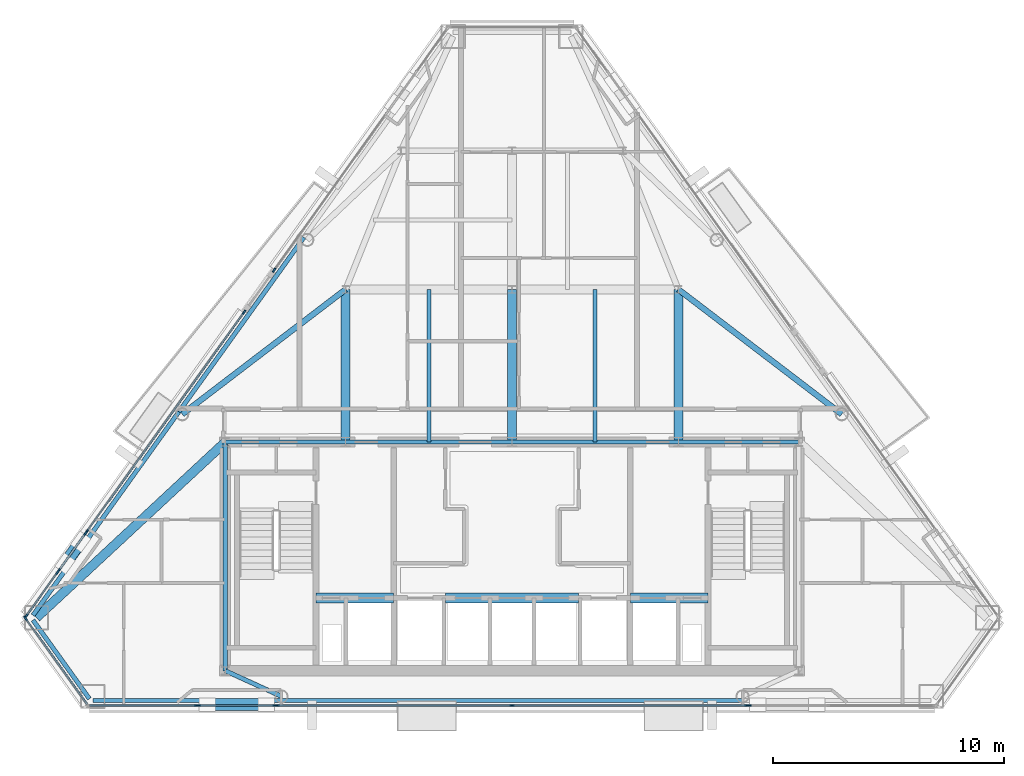
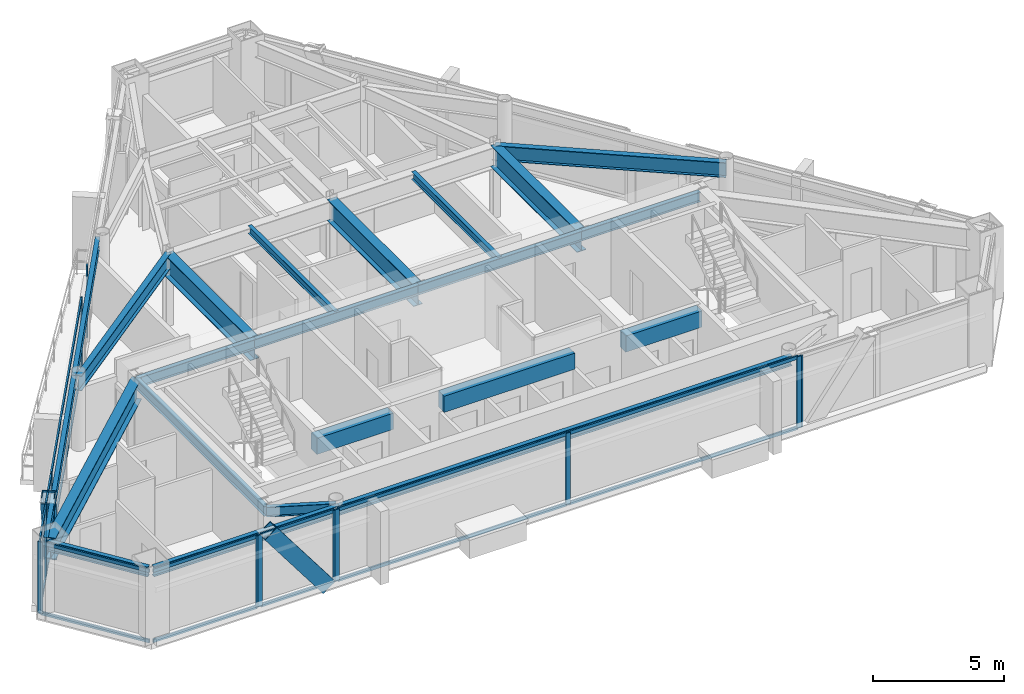
# One storey, part 3 of 11: 33 members, 22 beams, 9 elements without a shape of their own.
"""IFC4 building model written with IfcOpenShell, lengths in metres."""

from ifc_helpers import new_model, si_unit, direction, frame, origin, origin_2d, place, context, subcontext, project, spatial, rectangle, hollow_rectangle, i_section, extrude, material, layer, layer_set, material_profile, profile_set, type_object, element, aggregate, save


model = new_model("IFC4")

# Units and contexts
model_context = context("Model", 3, precision=1e-05, world=origin(), true_north=direction((0.0, 1.0)))
body_context = subcontext(model_context, "Body", "Model", "MODEL_VIEW")
ifc_project = project(units=[si_unit("LENGTHUNIT", "METRE"), si_unit("AREAUNIT", "SQUARE_METRE"), si_unit("VOLUMEUNIT", "CUBIC_METRE"), si_unit("PLANEANGLEUNIT", "RADIAN"), si_unit("MASSUNIT", "GRAM", prefix="KILO")], contexts=[model_context])

# Site, building, storey
site_placement = place(None, origin())
site = spatial("IfcSite", under=ifc_project, at=site_placement, CompositionType="ELEMENT")
building_placement = place(site_placement, origin())
building = spatial("IfcBuilding", under=site, at=building_placement, Name="Talgorran Terracotta Tower", CompositionType="ELEMENT")
storey_placement = place(building_placement, frame((0.0, 0.0, 237.0)))
storey = spatial("IfcBuildingStorey", under=building, at=storey_placement, Name="L62", CompositionType="ELEMENT", Elevation=237.0)

# Beams
ifc_material_1 = material(Name="Steel Grade 350 (350L0)", Category="steel")
ifc_material_profile_1 = material_profile(ifc_material_1, i_section(OverallWidth=0.39990234375, OverallDepth=1.0, WebThickness=0.01611328125, FlangeThickness=0.031005859375, at=origin_2d()), Name="1000WB296")
ifc_profile_set_1 = profile_set([ifc_material_profile_1], Name="Steel Grade 350 (350L0)")
beam_type_1 = type_object("IfcBeamType", Name="BM_1000WB296", PredefinedType="BEAM", material=ifc_profile_set_1)
for number, where, z_axis, x_axis, name in (
    (1, (-7.199951171875, -4.199951171875, 2.844970703125), (0.0, 1.0, 0.0), (-1.0, 0.0, 0.0), "L62 Floor Girder G01"),
    (2, (0.0, -4.199951171875, 2.844970703125), (0.0, 1.0, 0.0), (-1.0, 0.0, 0.0), "L62 Floor Girder G02"),
    (3, (7.199951171875, -4.199951171875, 2.844970703125), (0.0, 1.0, 0.0), (-1.0, 0.0, 0.0), "L62 Floor Girder G03"),
):
    element("IfcBeam", number, at=place(storey_placement, frame(where, z_axis=z_axis, x_axis=x_axis)), inside=storey, type_object=beam_type_1, Name=name, PredefinedType="BEAM", context=body_context, shape_type="SweptSolid", body=[
        extrude(i_section(OverallWidth=0.39990234375, OverallDepth=1.0, WebThickness=0.01611328125, FlangeThickness=0.031005859375, at=origin_2d()), origin(), (0.0, 0.0, 1.0), 6.599853515625),
    ])
beam_1_placement = place(storey_placement, frame((-12.39990234375, -4.199951171875, 2.844970703125), z_axis=(-0.732477257619, -0.68079150044, 0.0), x_axis=(0.68079150044, -0.732477257619, 0.0)))
element("IfcBeam", 4, at=beam_1_placement, inside=storey, type_object=beam_type_1, Name="L62 Floor Girder G17", PredefinedType="BEAM", context=body_context, shape_type="SweptSolid", body=[
    extrude(i_section(OverallWidth=0.39990234375, OverallDepth=1.0, WebThickness=0.01611328125, FlangeThickness=0.031005859375, at=origin_2d()), origin(), (0.0, 0.0, 1.0), 11.16650390625),
])
ifc_material_2 = material(Name="Steel S355 (300PLUS)", Category="steel")
ifc_material_profile_2 = material_profile(ifc_material_2, i_section(OverallWidth=0.25, OverallDepth=0.699951171875, WebThickness=0.011962890625, FlangeThickness=0.02392578125, at=origin_2d()), Name="700WB150")
ifc_profile_set_2 = profile_set([ifc_material_profile_2], Name="Steel S355 (300PLUS)")
beam_type_2 = type_object("IfcBeamType", Name="BM_700WB150", PredefinedType="BEAM", material=ifc_profile_set_2)
for number, where, z_axis, x_axis, name in (
    (5, (-7.199951171875, 2.39990234375, 2.9951171875), (-0.794675605049, -0.60703433407, 0.0), (0.60703433407, -0.794675605049, 0.0), "L62 Floor Girder G06"),
    (6, (7.199951171875, 2.39990234375, 2.9951171875), (0.794675605049, -0.60703433407, 0.0), (0.60703433407, 0.794675605049, 0.0), "L62 Floor Girder G07"),
):
    element("IfcBeam", number, at=place(storey_placement, frame(where, z_axis=z_axis, x_axis=x_axis)), inside=storey, type_object=beam_type_2, Name=name, PredefinedType="BEAM", context=body_context, shape_type="SweptSolid", body=[
        extrude(i_section(OverallWidth=0.25, OverallDepth=0.699951171875, WebThickness=0.011962890625, FlangeThickness=0.02392578125, at=origin_2d()), origin(), (0.0, 0.0, 1.0), 8.894287109375),
    ])
ifc_material_3 = material(Name="Concrete C50/60", Category="concrete")
ifc_material_profile_3 = material_profile(ifc_material_3, rectangle(XDim=0.449951171875, YDim=0.75, at=origin_2d()), Name="RCCB450X750")
ifc_profile_set_3 = profile_set([ifc_material_profile_3], Name="Concrete C50/60")
beam_type_3 = type_object("IfcBeamType", Name="BM_CB_450X750", PredefinedType="LINTEL", material=ifc_profile_set_3)
beam_2_placement = place(storey_placement, frame((-8.47998046875, -10.949951171875, 2.969970703125), z_axis=(1.0, 0.0, 0.0), x_axis=(0.0, 1.0, 0.0)))
element("IfcBeam", 7, at=beam_2_placement, inside=storey, type_object=beam_type_3, Name="L62 Core Shear-Wall Coupling Beam CB1", PredefinedType="LINTEL", context=body_context, shape_type="SweptSolid", body=[
    extrude(rectangle(XDim=0.449951171875, YDim=0.75, at=origin_2d()), origin(), (0.0, 0.0, 1.0), 3.35986328125),
])
beam_3_placement = place(storey_placement, frame((-2.8798828125, -10.949951171875, 2.969970703125), z_axis=(1.0, 0.0, 0.0), x_axis=(0.0, 1.0, 0.0)))
element("IfcBeam", 8, at=beam_3_placement, inside=storey, type_object=beam_type_3, Name="L62 Core Shear-Wall Coupling Beam CB2", PredefinedType="LINTEL", context=body_context, shape_type="SweptSolid", body=[
    extrude(rectangle(XDim=0.449951171875, YDim=0.75, at=origin_2d()), origin(), (0.0, 0.0, 1.0), 5.759765625),
])
beam_4_placement = place(storey_placement, frame((5.1201171875, -10.949951171875, 2.969970703125), z_axis=(1.0, 0.0, 0.0), x_axis=(0.0, 1.0, 0.0)))
element("IfcBeam", 9, at=beam_4_placement, inside=storey, type_object=beam_type_3, Name="L62 Core Shear-Wall Coupling Beam CB3", PredefinedType="LINTEL", context=body_context, shape_type="SweptSolid", body=[
    extrude(rectangle(XDim=0.449951171875, YDim=0.75, at=origin_2d()), origin(), (0.0, 0.0, 1.0), 3.35986328125),
])
ifc_material_profile_4 = material_profile(ifc_material_2, i_section(OverallWidth=0.17138671875, OverallDepth=0.355712890625, WebThickness=0.00732421875, FlangeThickness=0.011474609375, at=origin_2d()), Name="360UB50.7")
ifc_profile_set_4 = profile_set([ifc_material_profile_4], Name="Steel S355 (300PLUS)")
beam_type_4 = type_object("IfcBeamType", Name="BM_JS_360UB51", PredefinedType="JOIST", material=ifc_profile_set_4)
for number, where, z_axis, x_axis, name in (
    (10, (-3.60009765625, -4.199951171875, 3.167236328125), (0.0, 1.0, 0.0), (-1.0, 0.0, 0.0), "L62 Secondary Joist J01"),
    (11, (3.60009765625, -4.199951171875, 3.167236328125), (0.0, 1.0, 0.0), (-1.0, 0.0, 0.0), "L62 Secondary Joist J02"),
):
    element("IfcBeam", number, at=place(storey_placement, frame(where, z_axis=z_axis, x_axis=x_axis)), inside=storey, type_object=beam_type_4, Name=name, PredefinedType="JOIST", context=body_context, shape_type="SweptSolid", body=[
        extrude(i_section(OverallWidth=0.17138671875, OverallDepth=0.355712890625, WebThickness=0.00732421875, FlangeThickness=0.011474609375, at=origin_2d()), origin(), (0.0, 0.0, 1.0), 6.599853515625),
    ])
ifc_material_profile_5 = material_profile(ifc_material_2, i_section(OverallWidth=0.18994140625, OverallDepth=0.45703125, WebThickness=0.009033203125, FlangeThickness=0.014404296875, at=origin_2d()), Name="460UB74.6")
ifc_profile_set_5 = profile_set([ifc_material_profile_5], Name="Steel S355 (300PLUS)")
beam_type_5 = type_object("IfcBeamType", Name="BM_SP_460UB74", PredefinedType="SPANDREL", material=ifc_profile_set_5)
beam_5_placement = place(storey_placement, frame((-20.725341796875, -11.906982421875, 3.116455078125), z_axis=(0.582692129248, -0.812692981705, 0.0), x_axis=(0.812692981705, 0.582692129248, 0.0)))
element("IfcBeam", 12, at=beam_5_placement, inside=storey, type_object=beam_type_5, Name="L62 Perimeter Spandrel Beam MC1-MC2", PredefinedType="SPANDREL", context=body_context, shape_type="SweptSolid", body=[
    extrude(i_section(OverallWidth=0.18994140625, OverallDepth=0.45703125, WebThickness=0.009033203125, FlangeThickness=0.014404296875, at=origin_2d()), origin(), (0.0, 0.0, 1.0), 4.190673828125),
])
beam_6_placement = place(storey_placement, frame((-18.13720703125, -15.3876953125, 3.116455078125), z_axis=(1.0, 0.0, 0.0), x_axis=(0.0, 1.0, 0.0)))
element("IfcBeam", 13, at=beam_6_placement, inside=storey, type_object=beam_type_5, Name="L62 Perimeter Spandrel Beam MC2-FC1", PredefinedType="SPANDREL", context=body_context, shape_type="SweptSolid", body=[
    extrude(i_section(OverallWidth=0.18994140625, OverallDepth=0.45703125, WebThickness=0.009033203125, FlangeThickness=0.014404296875, at=origin_2d()), origin(), (0.0, 0.0, 1.0), 8.16162109375),
])
beam_7_placement = place(storey_placement, frame((-9.9755859375, -15.3876953125, 3.116455078125), z_axis=(1.0, 0.0, 0.0), x_axis=(0.0, 1.0, 0.0)))
element("IfcBeam", 14, at=beam_7_placement, inside=storey, type_object=beam_type_5, Name="L62 Perimeter Spandrel Beam FC1-FC2", PredefinedType="SPANDREL", context=body_context, shape_type="SweptSolid", body=[
    extrude(i_section(OverallWidth=0.18994140625, OverallDepth=0.45703125, WebThickness=0.009033203125, FlangeThickness=0.014404296875, at=origin_2d()), origin(), (0.0, 0.0, 1.0), 19.951171875),
])
beam_8_placement = place(storey_placement, frame((-9.0048828125, 4.65087890625, 3.116455078125), z_axis=(-0.582665161137, -0.812712316873, 0.0), x_axis=(0.812712316873, -0.582665161137, 0.0)))
element("IfcBeam", 15, at=beam_8_placement, inside=storey, type_object=beam_type_5, Name="L62 Perimeter Spandrel Beam FC5-FC6", PredefinedType="SPANDREL", context=body_context, shape_type="SweptSolid", body=[
    extrude(i_section(OverallWidth=0.18994140625, OverallDepth=0.45703125, WebThickness=0.009033203125, FlangeThickness=0.014404296875, at=origin_2d()), origin(), (0.0, 0.0, 1.0), 9.283935546875),
])
beam_9_placement = place(storey_placement, frame((-14.414306640625, -2.894287109375, 3.116455078125), z_axis=(-0.5826658635, -0.812711813321, 0.0), x_axis=(0.812711813321, -0.5826658635, 0.0)))
element("IfcBeam", 16, at=beam_9_placement, inside=storey, type_object=beam_type_5, Name="L62 Perimeter Spandrel Beam FC6-MC1", PredefinedType="SPANDREL", context=body_context, shape_type="SweptSolid", body=[
    extrude(i_section(OverallWidth=0.18994140625, OverallDepth=0.45703125, WebThickness=0.009033203125, FlangeThickness=0.014404296875, at=origin_2d()), origin(), (0.0, 0.0, 1.0), 10.831298828125),
])
beam_10_placement = place(storey_placement, frame((-9.9755859375, -15.207763671875, 3.116455078125), z_axis=(-0.909558570389, 0.415575753661, 0.0), x_axis=(-0.415575753661, -0.909558570389, 0.0)))
element("IfcBeam", 17, at=beam_10_placement, inside=storey, type_object=beam_type_5, Name="L62 South-West Core Tie Beam", PredefinedType="SPANDREL", context=body_context, shape_type="SweptSolid", body=[
    extrude(i_section(OverallWidth=0.18994140625, OverallDepth=0.45703125, WebThickness=0.009033203125, FlangeThickness=0.014404296875, at=origin_2d()), origin(), (0.0, 0.0, 1.0), 2.665283203125),
])
beam_11_placement = place(storey_placement, frame((-12.39990234375, -14.10009765625, 3.116455078125), z_axis=(0.0, 1.0, 0.0), x_axis=(-1.0, 0.0, 0.0)))
element("IfcBeam", 18, at=beam_11_placement, inside=storey, type_object=beam_type_5, Name="L62 Core Frame Beam CFW", PredefinedType="SPANDREL", context=body_context, shape_type="SweptSolid", body=[
    extrude(i_section(OverallWidth=0.18994140625, OverallDepth=0.45703125, WebThickness=0.009033203125, FlangeThickness=0.014404296875, at=origin_2d()), origin(), (0.0, 0.0, 1.0), 9.900146484375),
])
beam_12_placement = place(storey_placement, frame((-12.39990234375, -4.199951171875, 3.116455078125), z_axis=(1.0, 0.0, 0.0), x_axis=(0.0, 1.0, 0.0)))
element("IfcBeam", 19, at=beam_12_placement, inside=storey, type_object=beam_type_5, Name="L62 Core Frame Beam CFN1", PredefinedType="SPANDREL", context=body_context, shape_type="SweptSolid", body=[
    extrude(i_section(OverallWidth=0.18994140625, OverallDepth=0.45703125, WebThickness=0.009033203125, FlangeThickness=0.014404296875, at=origin_2d()), origin(), (0.0, 0.0, 1.0), 5.199951171875),
])
for number, where, z_axis, x_axis, name in (
    (20, (-7.199951171875, -4.199951171875, 3.116455078125), (1.0, 0.0, 0.0), (0.0, 1.0, 0.0), "L62 Core Frame Beam CFN2"),
    (21, (0.0, -4.199951171875, 3.116455078125), (1.0, 0.0, 0.0), (0.0, 1.0, 0.0), "L62 Core Frame Beam CFN3"),
):
    element("IfcBeam", number, at=place(storey_placement, frame(where, z_axis=z_axis, x_axis=x_axis)), inside=storey, type_object=beam_type_5, Name=name, PredefinedType="SPANDREL", context=body_context, shape_type="SweptSolid", body=[
        extrude(i_section(OverallWidth=0.18994140625, OverallDepth=0.45703125, WebThickness=0.009033203125, FlangeThickness=0.014404296875, at=origin_2d()), origin(), (0.0, 0.0, 1.0), 7.199951171875),
    ])
beam_13_placement = place(storey_placement, frame((7.199951171875, -4.199951171875, 3.116455078125), z_axis=(1.0, 0.0, 0.0), x_axis=(0.0, 1.0, 0.0)))
element("IfcBeam", 22, at=beam_13_placement, inside=storey, type_object=beam_type_5, Name="L62 Core Frame Beam CFN4", PredefinedType="SPANDREL", context=body_context, shape_type="SweptSolid", body=[
    extrude(i_section(OverallWidth=0.18994140625, OverallDepth=0.45703125, WebThickness=0.009033203125, FlangeThickness=0.014404296875, at=origin_2d()), origin(), (0.0, 0.0, 1.0), 5.199951171875),
])

# Members
ifc_material_profile_6 = material_profile(ifc_material_1, hollow_rectangle(XDim=0.52001953125, YDim=0.659912109375, WallThickness=0.034912109375, at=origin_2d()), Name="WBOX660X520X35")
ifc_profile_set_6 = profile_set([ifc_material_profile_6], Name="Steel Grade 350 (350L0)")
member_type_1 = type_object("IfcMemberType", Name="MB_MEGA_660", PredefinedType="BRACE", material=ifc_profile_set_6)
member_1_placement = place(storey_placement, frame((-10.626708984375, -15.56787109375, -0.02490234375), z_axis=(-0.602842017397, 0.0, 0.797860578084), x_axis=(0.0, -1.0, 0.0)))
element("IfcMember", 23, at=member_1_placement, inside=storey, type_object=member_type_1, Name="L62 Exterior Face Mega-Brace MB-3 (SWF)", PredefinedType="BRACE", context=body_context, shape_type="SweptSolid", body=[
    extrude(hollow_rectangle(XDim=0.52001953125, YDim=0.659912109375, WallThickness=0.034912109375, at=origin_2d()), origin(), (0.0, 0.0, 1.0), 4.255126953125),
])
member_2_placement = place(storey_placement, frame((-18.66259765625, -8.510986328125, -0.02490234375), z_axis=(-0.1886043759, -0.263107186727, 0.946151677948), x_axis=(0.812752438042, -0.582609195307, 0.0)))
element("IfcMember", 24, at=member_2_placement, inside=storey, type_object=member_type_1, Name="L62 Exterior Face Mega-Brace MB-3 (NWL)", PredefinedType="BRACE", context=body_context, shape_type="SweptSolid", body=[
    extrude(hollow_rectangle(XDim=0.52001953125, YDim=0.659912109375, WallThickness=0.034912109375, at=origin_2d()), origin(), (0.0, 0.0, 1.0), 3.588134765625),
])

# Curtain wall, member
ifc_material_4 = material(Name="High-Wind Unitised Glazing", Category="glass")
ifc_layer = layer(ifc_material_4, 0.2099609375, Name="CW_SYS3_RES_HIGH")
ifc_layer_set = layer_set([ifc_layer], Name="High-Wind Unitised Glazing")
curtain_wall_type = type_object("IfcCurtainWallType", Name="CW_SYS3_RES_HIGH", PredefinedType="NOTDEFINED", material=ifc_layer_set)
curtain_wall_1_placement = place(storey_placement, origin())
curtain_wall_1 = element("IfcCurtainWall", 25, at=curtain_wall_1_placement, inside=storey, type_object=curtain_wall_type, Name="CW-L62-F0", PredefinedType="NOTDEFINED")
ifc_material_5 = material(Name="Architectural Aluminium 6063-T6", Category="aluminium")
ifc_material_profile_7 = material_profile(ifc_material_5, rectangle(XDim=0.070068359375, YDim=0.199951171875, at=origin_2d()), Name="CWM70X200")
ifc_profile_set_7 = profile_set([ifc_material_profile_7], Name="Architectural Aluminium 6063-T6")
member_type_2 = type_object("IfcMemberType", Name="MUL_70X200", PredefinedType="MULLION", material=ifc_profile_set_7)
member_3_placement = place(storey_placement, frame((-21.05078125, -11.83056640625, 0.0), z_axis=(0.0, 0.0, 1.0), x_axis=(0.812714993724, 0.582661427396, 0.0)))
member_3 = element("IfcMember", 26, at=member_3_placement, type_object=member_type_2, Name="CW-L62-0 mullion 1", PredefinedType="MULLION", context=body_context, shape_type="SweptSolid", body=[
    extrude(rectangle(XDim=0.070068359375, YDim=0.199951171875, at=origin_2d()), origin(), (0.0, 0.0, 1.0), 3.344970703125),
])

curtain_wall_2_placement = place(storey_placement, origin())
curtain_wall_2 = element("IfcCurtainWall", 27, at=curtain_wall_2_placement, inside=storey, type_object=curtain_wall_type, Name="CW-L62-F1", PredefinedType="NOTDEFINED")
member_4_placement = place(storey_placement, frame((-13.64501953125, -15.60791015625, 0.0), z_axis=(0.0, 0.0, 1.0), x_axis=(0.0, 1.0, 0.0)))
member_4 = element("IfcMember", 28, at=member_4_placement, type_object=member_type_2, Name="CW-L62-1 mullion 2", PredefinedType="MULLION", context=body_context, shape_type="SweptSolid", body=[
    extrude(rectangle(XDim=0.070068359375, YDim=0.199951171875, at=origin_2d()), origin(), (0.0, 0.0, 1.0), 3.344970703125),
])

# Curtain wall, members
curtain_wall_3_placement = place(storey_placement, origin())
curtain_wall_3 = element("IfcCurtainWall", 29, at=curtain_wall_3_placement, inside=storey, type_object=curtain_wall_type, Name="CW-L62-F1B", PredefinedType="NOTDEFINED")
member_5_placement = place(storey_placement, frame((-13.565185546875, -15.60791015625, 0.0), z_axis=(0.0, 0.0, 1.0), x_axis=(0.0, 1.0, 0.0)))
member_5 = element("IfcMember", 30, at=member_5_placement, type_object=member_type_2, Name="CW-L62-1B mullion 1", PredefinedType="MULLION", context=body_context, shape_type="SweptSolid", body=[
    extrude(rectangle(XDim=0.070068359375, YDim=0.199951171875, at=origin_2d()), origin(), (0.0, 0.0, 1.0), 3.344970703125),
])
member_6_placement = place(storey_placement, frame((-10.25341796875, -15.60791015625, 0.0), z_axis=(0.0, 0.0, 1.0), x_axis=(0.0, 1.0, 0.0)))
member_6 = element("IfcMember", 31, at=member_6_placement, type_object=member_type_2, Name="CW-L62-1B mullion 2", PredefinedType="MULLION", context=body_context, shape_type="SweptSolid", body=[
    extrude(rectangle(XDim=0.070068359375, YDim=0.199951171875, at=origin_2d()), origin(), (0.0, 0.0, 1.0), 3.344970703125),
])

curtain_wall_4_placement = place(storey_placement, origin())
curtain_wall_4 = element("IfcCurtainWall", 32, at=curtain_wall_4_placement, inside=storey, type_object=curtain_wall_type, Name="CW-L62-F1C", PredefinedType="NOTDEFINED")
member_7_placement = place(storey_placement, frame((-10.173583984375, -15.60791015625, 0.0), z_axis=(0.0, 0.0, 1.0), x_axis=(0.0, 1.0, 0.0)))
member_7 = element("IfcMember", 33, at=member_7_placement, type_object=member_type_2, Name="CW-L62-1C mullion 1", PredefinedType="MULLION", context=body_context, shape_type="SweptSolid", body=[
    extrude(rectangle(XDim=0.070068359375, YDim=0.199951171875, at=origin_2d()), origin(), (0.0, 0.0, 1.0), 3.344970703125),
])
member_8_placement = place(storey_placement, frame((0.0, -15.60791015625, 0.0), z_axis=(0.0, 0.0, 1.0), x_axis=(0.0, 1.0, 0.0)))
member_8 = element("IfcMember", 34, at=member_8_placement, type_object=member_type_2, Name="CW-L62-1C mullion 2", PredefinedType="MULLION", context=body_context, shape_type="SweptSolid", body=[
    extrude(rectangle(XDim=0.070068359375, YDim=0.199951171875, at=origin_2d()), origin(), (0.0, 0.0, 1.0), 3.344970703125),
])
member_9_placement = place(storey_placement, frame((10.173583984375, -15.60791015625, 0.0), z_axis=(0.0, 0.0, 1.0), x_axis=(0.0, 1.0, 0.0)))
member_9 = element("IfcMember", 35, at=member_9_placement, type_object=member_type_2, Name="CW-L62-1C mullion 3", PredefinedType="MULLION", context=body_context, shape_type="SweptSolid", body=[
    extrude(rectangle(XDim=0.070068359375, YDim=0.199951171875, at=origin_2d()), origin(), (0.0, 0.0, 1.0), 3.344970703125),
])

# Curtain wall, member
curtain_wall_5_placement = place(storey_placement, origin())
curtain_wall_5 = element("IfcCurtainWall", 36, at=curtain_wall_5_placement, inside=storey, type_object=curtain_wall_type, Name="CW-L62-F1D", PredefinedType="NOTDEFINED")
member_10_placement = place(storey_placement, frame((10.25341796875, -15.60791015625, 0.0), z_axis=(0.0, 0.0, 1.0), x_axis=(0.0, 1.0, 0.0)))
member_10 = element("IfcMember", 37, at=member_10_placement, type_object=member_type_2, Name="CW-L62-1D mullion 1", PredefinedType="MULLION", context=body_context, shape_type="SweptSolid", body=[
    extrude(rectangle(XDim=0.070068359375, YDim=0.199951171875, at=origin_2d()), origin(), (0.0, 0.0, 1.0), 3.344970703125),
])
aggregate(curtain_wall_5, [member_10])

curtain_wall_6_placement = place(storey_placement, origin())
curtain_wall_6 = element("IfcCurtainWall", 38, at=curtain_wall_6_placement, inside=storey, type_object=curtain_wall_type, Name="CW-L62-F60C", PredefinedType="NOTDEFINED")
member_11_placement = place(storey_placement, frame((-10.29248046875, 3.232177734375, 0.0), z_axis=(0.0, 0.0, 1.0), x_axis=(0.812712835323, -0.582664437993, 0.0)))
member_11 = element("IfcMember", 39, at=member_11_placement, type_object=member_type_2, Name="CW-L62-60C mullion 2", PredefinedType="MULLION", context=body_context, shape_type="SweptSolid", body=[
    extrude(rectangle(XDim=0.070068359375, YDim=0.199951171875, at=origin_2d()), origin(), (0.0, 0.0, 1.0), 3.344970703125),
])
aggregate(curtain_wall_6, [member_11])

# Curtain wall, members
curtain_wall_7_placement = place(storey_placement, origin())
curtain_wall_7 = element("IfcCurtainWall", 40, at=curtain_wall_7_placement, inside=storey, type_object=curtain_wall_type, Name="CW-L62-F61", PredefinedType="NOTDEFINED")
member_12_placement = place(storey_placement, frame((-11.591796875, 1.419921875, 0.0), z_axis=(0.0, 0.0, 1.0), x_axis=(0.812710541819, -0.582667637008, 0.0)))
member_12 = element("IfcMember", 41, at=member_12_placement, type_object=member_type_2, Name="CW-L62-61 mullion 1", PredefinedType="MULLION", context=body_context, shape_type="SweptSolid", body=[
    extrude(rectangle(XDim=0.070068359375, YDim=0.199951171875, at=origin_2d()), origin(), (0.0, 0.0, 1.0), 3.344970703125),
])
member_13_placement = place(storey_placement, frame((-18.40234375, -8.07958984375, 0.0), z_axis=(0.0, 0.0, 1.0), x_axis=(0.812710541819, -0.582667637008, 0.0)))
member_13 = element("IfcMember", 42, at=member_13_placement, type_object=member_type_2, Name="CW-L62-61 mullion 2", PredefinedType="MULLION", context=body_context, shape_type="SweptSolid", body=[
    extrude(rectangle(XDim=0.070068359375, YDim=0.199951171875, at=origin_2d()), origin(), (0.0, 0.0, 1.0), 3.344970703125),
])

curtain_wall_8_placement = place(storey_placement, origin())
curtain_wall_8 = element("IfcCurtainWall", 43, at=curtain_wall_8_placement, inside=storey, type_object=curtain_wall_type, Name="CW-L62-F61B", PredefinedType="NOTDEFINED")
member_14_placement = place(storey_placement, frame((-18.448974609375, -8.14453125, 0.0), z_axis=(0.0, 0.0, 1.0), x_axis=(0.812700408888, -0.582681770259, 0.0)))
member_14 = element("IfcMember", 44, at=member_14_placement, type_object=member_type_2, Name="CW-L62-61B mullion 1", PredefinedType="MULLION", context=body_context, shape_type="SweptSolid", body=[
    extrude(rectangle(XDim=0.070068359375, YDim=0.199951171875, at=origin_2d()), origin(), (0.0, 0.0, 1.0), 3.344970703125),
])
member_15_placement = place(storey_placement, frame((-19.617919921875, -9.77490234375, 0.0), z_axis=(0.0, 0.0, 1.0), x_axis=(0.812700408888, -0.582681770259, 0.0)))
member_15 = element("IfcMember", 45, at=member_15_placement, type_object=member_type_2, Name="CW-L62-61B mullion 2", PredefinedType="MULLION", context=body_context, shape_type="SweptSolid", body=[
    extrude(rectangle(XDim=0.070068359375, YDim=0.199951171875, at=origin_2d()), origin(), (0.0, 0.0, 1.0), 3.344970703125),
])

curtain_wall_9_placement = place(storey_placement, origin())
curtain_wall_9 = element("IfcCurtainWall", 46, at=curtain_wall_9_placement, inside=storey, type_object=curtain_wall_type, Name="CW-L62-F61C", PredefinedType="NOTDEFINED")
member_16_placement = place(storey_placement, frame((-19.664306640625, -9.83984375, 0.0), z_axis=(0.0, 0.0, 1.0), x_axis=(0.81270574708, -0.582674324698, 0.0)))
member_16 = element("IfcMember", 47, at=member_16_placement, type_object=member_type_2, Name="CW-L62-61C mullion 1", PredefinedType="MULLION", context=body_context, shape_type="SweptSolid", body=[
    extrude(rectangle(XDim=0.070068359375, YDim=0.199951171875, at=origin_2d()), origin(), (0.0, 0.0, 1.0), 3.344970703125),
])
member_17_placement = place(storey_placement, frame((-21.02734375, -11.740966796875, 0.0), z_axis=(0.0, 0.0, 1.0), x_axis=(0.81270574708, -0.582674324698, 0.0)))
member_17 = element("IfcMember", 48, at=member_17_placement, type_object=member_type_2, Name="CW-L62-61C mullion 2", PredefinedType="MULLION", context=body_context, shape_type="SweptSolid", body=[
    extrude(rectangle(XDim=0.070068359375, YDim=0.199951171875, at=origin_2d()), origin(), (0.0, 0.0, 1.0), 3.344970703125),
])

# Member
ifc_material_profile_8 = material_profile(ifc_material_5, rectangle(XDim=0.070068359375, YDim=0.159912109375, at=origin_2d()), Name="CWT70X160")
ifc_profile_set_8 = profile_set([ifc_material_profile_8], Name="Architectural Aluminium 6063-T6")
member_type_3 = type_object("IfcMemberType", Name="TRN_70X160", PredefinedType="USERDEFINED", material=ifc_profile_set_8)
member_18_placement = place(storey_placement, frame((-21.0302734375, -11.85888671875, 0.034912109375), z_axis=(0.582655627037, -0.812719152157, 0.0), x_axis=(0.812719152157, 0.582655627037, 0.0)))
member_18 = element("IfcMember", 49, at=member_18_placement, type_object=member_type_3, Name="CW-L62-0 transom 1.1", ObjectType="TRANSOM", PredefinedType="USERDEFINED", context=body_context, shape_type="SweptSolid", body=[
    extrude(rectangle(XDim=0.070068359375, YDim=0.159912109375, at=origin_2d()), origin(), (0.0, 0.0, 1.0), 4.54296875),
])

member_19_placement = place(storey_placement, frame((-21.0302734375, -11.85888671875, 3.31005859375), z_axis=(0.582655627037, -0.812719152157, 0.0), x_axis=(0.812719152157, 0.582655627037, 0.0)))
member_19 = element("IfcMember", 50, at=member_19_placement, type_object=member_type_3, Name="CW-L62-0 transom 1.2", ObjectType="TRANSOM", PredefinedType="USERDEFINED", context=body_context, shape_type="SweptSolid", body=[
    extrude(rectangle(XDim=0.070068359375, YDim=0.159912109375, at=origin_2d()), origin(), (0.0, 0.0, 1.0), 4.54296875),
])

aggregate(curtain_wall_1, [member_3, member_18, member_19])

member_20_placement = place(storey_placement, frame((-18.272705078125, -15.60791015625, 0.034912109375), z_axis=(1.0, 0.0, 0.0), x_axis=(0.0, 1.0, 0.0)))
member_20 = element("IfcMember", 51, at=member_20_placement, type_object=member_type_3, Name="CW-L62-1 transom 1.1", ObjectType="TRANSOM", PredefinedType="USERDEFINED", context=body_context, shape_type="SweptSolid", body=[
    extrude(rectangle(XDim=0.070068359375, YDim=0.159912109375, at=origin_2d()), origin(), (0.0, 0.0, 1.0), 4.592529296875),
])

member_21_placement = place(storey_placement, frame((-18.272705078125, -15.60791015625, 3.31005859375), z_axis=(1.0, 0.0, 0.0), x_axis=(0.0, 1.0, 0.0)))
member_21 = element("IfcMember", 52, at=member_21_placement, type_object=member_type_3, Name="CW-L62-1 transom 1.2", ObjectType="TRANSOM", PredefinedType="USERDEFINED", context=body_context, shape_type="SweptSolid", body=[
    extrude(rectangle(XDim=0.070068359375, YDim=0.159912109375, at=origin_2d()), origin(), (0.0, 0.0, 1.0), 4.592529296875),
])

aggregate(curtain_wall_2, [member_4, member_20, member_21])

member_22_placement = place(storey_placement, frame((-13.530029296875, -15.60791015625, 0.034912109375), z_axis=(1.0, 0.0, 0.0), x_axis=(0.0, 1.0, 0.0)))
member_22 = element("IfcMember", 53, at=member_22_placement, type_object=member_type_3, Name="CW-L62-1B transom 1.1", ObjectType="TRANSOM", PredefinedType="USERDEFINED", context=body_context, shape_type="SweptSolid", body=[
    extrude(rectangle(XDim=0.070068359375, YDim=0.159912109375, at=origin_2d()), origin(), (0.0, 0.0, 1.0), 3.241455078125),
])

member_23_placement = place(storey_placement, frame((-13.530029296875, -15.60791015625, 3.31005859375), z_axis=(1.0, 0.0, 0.0), x_axis=(0.0, 1.0, 0.0)))
member_23 = element("IfcMember", 54, at=member_23_placement, type_object=member_type_3, Name="CW-L62-1B transom 1.2", ObjectType="TRANSOM", PredefinedType="USERDEFINED", context=body_context, shape_type="SweptSolid", body=[
    extrude(rectangle(XDim=0.070068359375, YDim=0.159912109375, at=origin_2d()), origin(), (0.0, 0.0, 1.0), 3.241455078125),
])

aggregate(curtain_wall_3, [member_5, member_6, member_22, member_23])

member_24_placement = place(storey_placement, frame((-10.138427734375, -15.60791015625, 0.034912109375), z_axis=(1.0, 0.0, 0.0), x_axis=(0.0, 1.0, 0.0)))
member_24 = element("IfcMember", 55, at=member_24_placement, type_object=member_type_3, Name="CW-L62-1C transom 1.1", ObjectType="TRANSOM", PredefinedType="USERDEFINED", context=body_context, shape_type="SweptSolid", body=[
    extrude(rectangle(XDim=0.070068359375, YDim=0.159912109375, at=origin_2d()), origin(), (0.0, 0.0, 1.0), 10.103515625),
])

member_25_placement = place(storey_placement, frame((-10.138427734375, -15.60791015625, 3.31005859375), z_axis=(1.0, 0.0, 0.0), x_axis=(0.0, 1.0, 0.0)))
member_25 = element("IfcMember", 56, at=member_25_placement, type_object=member_type_3, Name="CW-L62-1C transom 1.2", ObjectType="TRANSOM", PredefinedType="USERDEFINED", context=body_context, shape_type="SweptSolid", body=[
    extrude(rectangle(XDim=0.070068359375, YDim=0.159912109375, at=origin_2d()), origin(), (0.0, 0.0, 1.0), 10.103515625),
])

member_26_placement = place(storey_placement, frame((0.034912109375, -15.60791015625, 0.034912109375), z_axis=(1.0, 0.0, 0.0), x_axis=(0.0, 1.0, 0.0)))
member_26 = element("IfcMember", 57, at=member_26_placement, type_object=member_type_3, Name="CW-L62-1C transom 2.1", ObjectType="TRANSOM", PredefinedType="USERDEFINED", context=body_context, shape_type="SweptSolid", body=[
    extrude(rectangle(XDim=0.070068359375, YDim=0.159912109375, at=origin_2d()), origin(), (0.0, 0.0, 1.0), 10.103515625),
])

member_27_placement = place(storey_placement, frame((0.034912109375, -15.60791015625, 3.31005859375), z_axis=(1.0, 0.0, 0.0), x_axis=(0.0, 1.0, 0.0)))
member_27 = element("IfcMember", 58, at=member_27_placement, type_object=member_type_3, Name="CW-L62-1C transom 2.2", ObjectType="TRANSOM", PredefinedType="USERDEFINED", context=body_context, shape_type="SweptSolid", body=[
    extrude(rectangle(XDim=0.070068359375, YDim=0.159912109375, at=origin_2d()), origin(), (0.0, 0.0, 1.0), 10.103515625),
])

aggregate(curtain_wall_4, [member_7, member_8, member_9, member_24, member_25, member_26, member_27])

member_28_placement = place(storey_placement, frame((-11.6123046875, 1.3916015625, 0.034912109375), z_axis=(-0.582664467749, -0.81271281399, 0.0), x_axis=(0.81271281399, -0.582664467749, 0.0)))
member_28 = element("IfcMember", 59, at=member_28_placement, type_object=member_type_3, Name="CW-L62-61 transom 1.1", ObjectType="TRANSOM", PredefinedType="USERDEFINED", context=body_context, shape_type="SweptSolid", body=[
    extrude(rectangle(XDim=0.070068359375, YDim=0.159912109375, at=origin_2d()), origin(), (0.0, 0.0, 1.0), 11.61865234375),
])

member_29_placement = place(storey_placement, frame((-11.6123046875, 1.3916015625, 3.31005859375), z_axis=(-0.582664467749, -0.81271281399, 0.0), x_axis=(0.81271281399, -0.582664467749, 0.0)))
member_29 = element("IfcMember", 60, at=member_29_placement, type_object=member_type_3, Name="CW-L62-61 transom 1.2", ObjectType="TRANSOM", PredefinedType="USERDEFINED", context=body_context, shape_type="SweptSolid", body=[
    extrude(rectangle(XDim=0.070068359375, YDim=0.159912109375, at=origin_2d()), origin(), (0.0, 0.0, 1.0), 11.61865234375),
])

aggregate(curtain_wall_7, [member_12, member_13, member_28, member_29])

member_30_placement = place(storey_placement, frame((-18.469482421875, -8.173095703125, 0.034912109375), z_axis=(-0.582668913142, -0.812709626901, 0.0), x_axis=(0.812709626901, -0.582668913142, 0.0)))
member_30 = element("IfcMember", 61, at=member_30_placement, type_object=member_type_3, Name="CW-L62-61B transom 1.1", ObjectType="TRANSOM", PredefinedType="USERDEFINED", context=body_context, shape_type="SweptSolid", body=[
    extrude(rectangle(XDim=0.070068359375, YDim=0.159912109375, at=origin_2d()), origin(), (0.0, 0.0, 1.0), 1.935791015625),
])

member_31_placement = place(storey_placement, frame((-18.469482421875, -8.173095703125, 3.31005859375), z_axis=(-0.582668913142, -0.812709626901, 0.0), x_axis=(0.812709626901, -0.582668913142, 0.0)))
member_31 = element("IfcMember", 62, at=member_31_placement, type_object=member_type_3, Name="CW-L62-61B transom 1.2", ObjectType="TRANSOM", PredefinedType="USERDEFINED", context=body_context, shape_type="SweptSolid", body=[
    extrude(rectangle(XDim=0.070068359375, YDim=0.159912109375, at=origin_2d()), origin(), (0.0, 0.0, 1.0), 1.935791015625),
])

aggregate(curtain_wall_8, [member_14, member_15, member_30, member_31])

member_32_placement = place(storey_placement, frame((-19.684814453125, -9.868408203125, 0.034912109375), z_axis=(-0.582682410456, -0.812699949886, 0.0), x_axis=(0.812699949886, -0.582682410456, 0.0)))
member_32 = element("IfcMember", 63, at=member_32_placement, type_object=member_type_3, Name="CW-L62-61C transom 1.1", ObjectType="TRANSOM", PredefinedType="USERDEFINED", context=body_context, shape_type="SweptSolid", body=[
    extrude(rectangle(XDim=0.070068359375, YDim=0.159912109375, at=origin_2d()), origin(), (0.0, 0.0, 1.0), 2.269287109375),
])

member_33_placement = place(storey_placement, frame((-19.684814453125, -9.868408203125, 3.31005859375), z_axis=(-0.582682410456, -0.812699949886, 0.0), x_axis=(0.812699949886, -0.582682410456, 0.0)))
member_33 = element("IfcMember", 64, at=member_33_placement, type_object=member_type_3, Name="CW-L62-61C transom 1.2", ObjectType="TRANSOM", PredefinedType="USERDEFINED", context=body_context, shape_type="SweptSolid", body=[
    extrude(rectangle(XDim=0.070068359375, YDim=0.159912109375, at=origin_2d()), origin(), (0.0, 0.0, 1.0), 2.269287109375),
])

aggregate(curtain_wall_9, [member_16, member_17, member_32, member_33])

save(model, "model.ifc")
